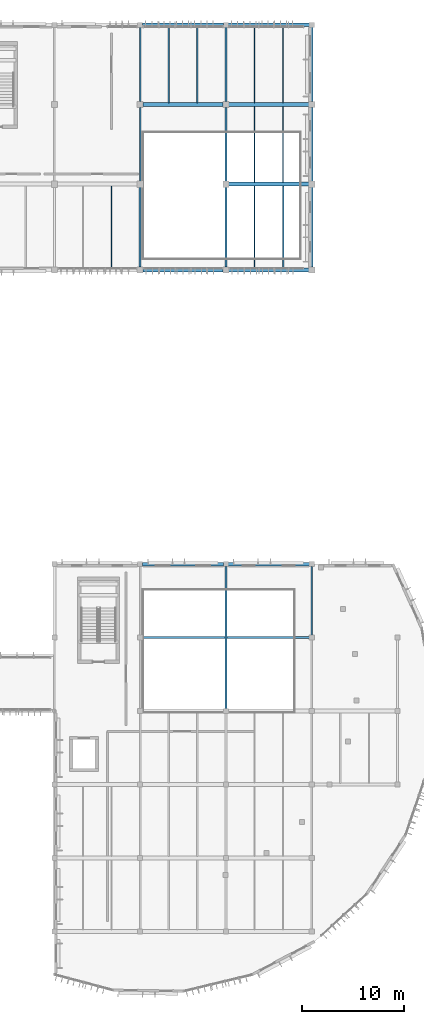
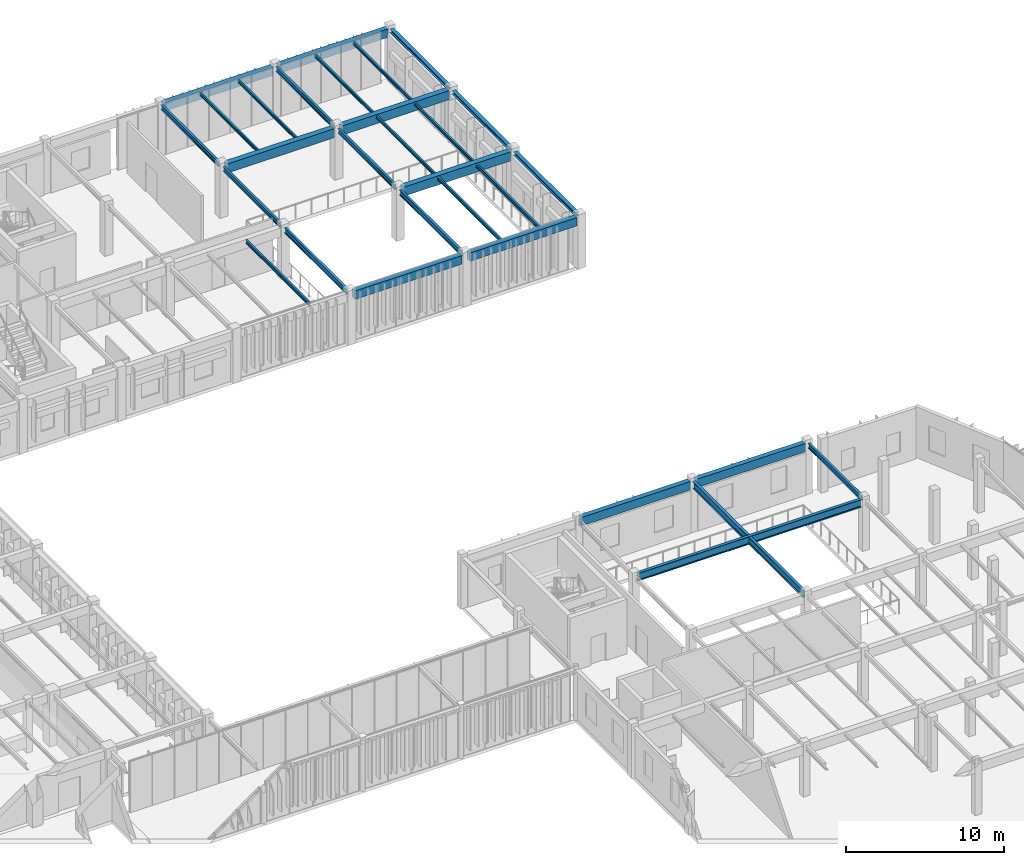
# One storey, part 16 of 122: 30 beams.
"""IFC4 building model written with IfcOpenShell, lengths in metres."""

from ifc_helpers import new_model, si_unit, direction, frame, origin, origin_2d, place, context, subcontext, project, spatial, rectangle, i_section, extrude, material, material_profile, profile_set, type_object, element, save


model = new_model("IFC4")

# Units and contexts
model_context = context("Model", 3, precision=1e-05, world=origin(), true_north=direction((0.0, 1.0)))
body_context = subcontext(model_context, "Body", "Model", "MODEL_VIEW")
ifc_project = project(units=[si_unit("LENGTHUNIT", "METRE"), si_unit("AREAUNIT", "SQUARE_METRE"), si_unit("VOLUMEUNIT", "CUBIC_METRE"), si_unit("PLANEANGLEUNIT", "RADIAN"), si_unit("MASSUNIT", "GRAM", prefix="KILO")], contexts=[model_context])

# Site, building, storey
site_placement = place(None, origin())
site = spatial("IfcSite", under=ifc_project, at=site_placement, CompositionType="ELEMENT")
building_placement = place(site_placement, origin())
building = spatial("IfcBuilding", under=site, at=building_placement, Name="Tazoul Stagehouse", CompositionType="ELEMENT")
storey_placement = place(building_placement, frame((0.0, 0.0, 4.800048828125)))
storey = spatial("IfcBuildingStorey", under=building, at=storey_placement, Name="L01", CompositionType="ELEMENT", Elevation=4.800048828125)

# Beams
ifc_material_1 = material(Name="Concrete C40/50", Category="concrete")
ifc_material_profile_1 = material_profile(ifc_material_1, rectangle(XDim=0.35009765625, YDim=0.64990234375, at=origin_2d()), Name="RC 350x650")
ifc_profile_set_1 = profile_set([ifc_material_profile_1], Name="Concrete C40/50")
beam_type_1 = type_object("IfcBeamType", Name="RC Perimeter Spandrel 350x650 (Exterior)", PredefinedType="SPANDREL", material=ifc_profile_set_1)
beam_1_placement = place(storey_placement, frame((134.02490234375, 59.0, 3.613037109375), z_axis=(1.0, 0.0, 0.0), x_axis=(0.0, 1.0, 0.0)))
element("IfcBeam", 1, at=beam_1_placement, inside=storey, type_object=beam_type_1, Name="L01 Beam SP-01E J/20-21", PredefinedType="SPANDREL", context=body_context, shape_type="SweptSolid", body=[
    extrude(rectangle(XDim=0.35009765625, YDim=0.64990234375, at=origin_2d()), origin(), (0.0, 0.0, 1.0), 7.9501953125),
])
beam_2_placement = place(storey_placement, frame((142.425048828125, 59.0, 3.613037109375), z_axis=(1.0, 0.0, 0.0), x_axis=(0.0, 1.0, 0.0)))
element("IfcBeam", 2, at=beam_2_placement, inside=storey, type_object=beam_type_1, Name="L01 Beam SP-01E J/21-22", PredefinedType="SPANDREL", context=body_context, shape_type="SweptSolid", body=[
    extrude(rectangle(XDim=0.35009765625, YDim=0.64990234375, at=origin_2d()), origin(), (0.0, 0.0, 1.0), 7.949951171875),
])
beam_3_placement = place(storey_placement, frame((134.074951171875, 87.800048828125, 3.613037109375), z_axis=(1.0, 0.0, 0.0), x_axis=(0.0, 1.0, 0.0)))
element("IfcBeam", 3, at=beam_3_placement, inside=storey, type_object=beam_type_1, Name="L01 Beam SP-01E N/20-21", PredefinedType="SPANDREL", context=body_context, shape_type="SweptSolid", body=[
    extrude(rectangle(XDim=0.35009765625, YDim=0.64990234375, at=origin_2d()), origin(), (0.0, 0.0, 1.0), 7.85009765625),
])
beam_4_placement = place(storey_placement, frame((142.47509765625, 87.800048828125, 3.613037109375), z_axis=(1.0, 0.0, 0.0), x_axis=(0.0, 1.0, 0.0)))
element("IfcBeam", 4, at=beam_4_placement, inside=storey, type_object=beam_type_1, Name="L01 Beam SP-01E N/21-22", PredefinedType="SPANDREL", context=body_context, shape_type="SweptSolid", body=[
    extrude(rectangle(XDim=0.35009765625, YDim=0.64990234375, at=origin_2d()), origin(), (0.0, 0.0, 1.0), 7.849853515625),
])
beam_5_placement = place(storey_placement, frame((134.02490234375, 111.800048828125, 3.613037109375), z_axis=(1.0, 0.0, 0.0), x_axis=(0.0, 1.0, 0.0)))
element("IfcBeam", 5, at=beam_5_placement, inside=storey, type_object=beam_type_1, Name="L01 Beam SP-01E R/20-21", PredefinedType="SPANDREL", context=body_context, shape_type="SweptSolid", body=[
    extrude(rectangle(XDim=0.35009765625, YDim=0.64990234375, at=origin_2d()), origin(), (0.0, 0.0, 1.0), 7.9501953125),
])
beam_6_placement = place(storey_placement, frame((142.425048828125, 111.800048828125, 3.613037109375), z_axis=(1.0, 0.0, 0.0), x_axis=(0.0, 1.0, 0.0)))
element("IfcBeam", 6, at=beam_6_placement, inside=storey, type_object=beam_type_1, Name="L01 Beam SP-01E R/21-22", PredefinedType="SPANDREL", context=body_context, shape_type="SweptSolid", body=[
    extrude(rectangle(XDim=0.35009765625, YDim=0.64990234375, at=origin_2d()), origin(), (0.0, 0.0, 1.0), 7.949951171875),
])
ifc_material_profile_2 = material_profile(ifc_material_1, rectangle(XDim=0.39990234375, YDim=0.699951171875, at=origin_2d()), Name="RC 400x700")
ifc_profile_set_2 = profile_set([ifc_material_profile_2], Name="Concrete C40/50")
beam_type_2 = type_object("IfcBeamType", Name="RC Primary Girder 400x700", PredefinedType="BEAM", material=ifc_profile_set_2)
beam_7_placement = place(storey_placement, frame((142.47509765625, 96.199951171875, 3.587890625), z_axis=(1.0, 0.0, 0.0), x_axis=(0.0, 1.0, 0.0)))
element("IfcBeam", 7, at=beam_7_placement, inside=storey, type_object=beam_type_2, Name="L01 Beam BM-02 P/21-22", PredefinedType="BEAM", context=body_context, shape_type="SweptSolid", body=[
    extrude(rectangle(XDim=0.39990234375, YDim=0.699951171875, at=origin_2d()), origin(), (0.0, 0.0, 1.0), 7.849853515625),
])
beam_8_placement = place(storey_placement, frame((134.074951171875, 104.0, 3.587890625), z_axis=(1.0, 0.0, 0.0), x_axis=(0.0, 1.0, 0.0)))
element("IfcBeam", 8, at=beam_8_placement, inside=storey, type_object=beam_type_2, Name="L01 Beam BM-02 Q/20-21", PredefinedType="BEAM", context=body_context, shape_type="SweptSolid", body=[
    extrude(rectangle(XDim=0.39990234375, YDim=0.699951171875, at=origin_2d()), origin(), (0.0, 0.0, 1.0), 7.85009765625),
])
beam_9_placement = place(storey_placement, frame((142.47509765625, 104.0, 3.587890625), z_axis=(1.0, 0.0, 0.0), x_axis=(0.0, 1.0, 0.0)))
element("IfcBeam", 9, at=beam_9_placement, inside=storey, type_object=beam_type_2, Name="L01 Beam BM-02 Q/21-22", PredefinedType="BEAM", context=body_context, shape_type="SweptSolid", body=[
    extrude(rectangle(XDim=0.39990234375, YDim=0.699951171875, at=origin_2d()), origin(), (0.0, 0.0, 1.0), 7.849853515625),
])
ifc_material_2 = material(Name="Steel S355", Category="steel")
ifc_material_profile_3 = material_profile(ifc_material_2, i_section(OverallWidth=0.280029296875, OverallDepth=0.27001953125, WebThickness=0.008056640625, FlangeThickness=0.012939453125, FilletRadius=0.02392578125, at=origin_2d()), Name="HEA 280")
ifc_profile_set_3 = profile_set([ifc_material_profile_3], Name="Steel S355")
beam_type_3 = type_object("IfcBeamType", Name="Steel Facade Spandrel HEA 280 (Exterior)", PredefinedType="SPANDREL", material=ifc_profile_set_3)
beam_10_placement = place(storey_placement, frame((150.60009765625, 88.074951171875, 3.802978515625), z_axis=(0.0, 1.0, 0.0), x_axis=(-1.0, 0.0, 0.0)))
element("IfcBeam", 10, at=beam_10_placement, inside=storey, type_object=beam_type_3, Name="L01 Beam SP-02E 22/N-P", PredefinedType="SPANDREL", context=body_context, shape_type="SweptSolid", body=[
    extrude(i_section(OverallWidth=0.280029296875, OverallDepth=0.27001953125, WebThickness=0.008056640625, FlangeThickness=0.012939453125, FilletRadius=0.02392578125, at=origin_2d()), origin(), (0.0, 0.0, 1.0), 7.85009765625),
])
beam_11_placement = place(storey_placement, frame((150.60009765625, 96.47509765625, 3.802978515625), z_axis=(0.0, 1.0, 0.0), x_axis=(-1.0, 0.0, 0.0)))
element("IfcBeam", 11, at=beam_11_placement, inside=storey, type_object=beam_type_3, Name="L01 Beam SP-02E 22/P-Q", PredefinedType="SPANDREL", context=body_context, shape_type="SweptSolid", body=[
    extrude(i_section(OverallWidth=0.280029296875, OverallDepth=0.27001953125, WebThickness=0.008056640625, FlangeThickness=0.012939453125, FilletRadius=0.02392578125, at=origin_2d()), origin(), (0.0, 0.0, 1.0), 7.25),
])
beam_12_placement = place(storey_placement, frame((150.60009765625, 104.27490234375, 3.802978515625), z_axis=(0.0, 1.0, 0.0), x_axis=(-1.0, 0.0, 0.0)))
element("IfcBeam", 12, at=beam_12_placement, inside=storey, type_object=beam_type_3, Name="L01 Beam SP-02E 22/Q-R", PredefinedType="SPANDREL", context=body_context, shape_type="SweptSolid", body=[
    extrude(i_section(OverallWidth=0.280029296875, OverallDepth=0.27001953125, WebThickness=0.008056640625, FlangeThickness=0.012939453125, FilletRadius=0.02392578125, at=origin_2d()), origin(), (0.0, 0.0, 1.0), 7.300048828125),
])
ifc_material_profile_4 = material_profile(ifc_material_2, i_section(OverallWidth=0.1201171875, OverallDepth=0.239990234375, WebThickness=0.006103515625, FlangeThickness=0.009765625, FilletRadius=0.014892578125, at=origin_2d()), Name="IPE 240")
ifc_profile_set_4 = profile_set([ifc_material_profile_4], Name="Steel S355")
beam_type_4 = type_object("IfcBeamType", Name="Steel Floor Joist IPE 240", PredefinedType="JOIST", material=ifc_profile_set_4)
for number, where, z_axis, x_axis, name in (
    (13, (145.0, 96.375, 3.81787109375), (0.0, 1.0, 0.0), (-1.0, 0.0, 0.0), "L01 Joist JS-01 21/P-1"),
    (14, (147.800048828125, 96.375, 3.81787109375), (0.0, 1.0, 0.0), (-1.0, 0.0, 0.0), "L01 Joist JS-01 21/P-2"),
):
    element("IfcBeam", number, at=place(storey_placement, frame(where, z_axis=z_axis, x_axis=x_axis)), inside=storey, type_object=beam_type_4, Name=name, PredefinedType="JOIST", context=body_context, shape_type="SweptSolid", body=[
        extrude(i_section(OverallWidth=0.1201171875, OverallDepth=0.239990234375, WebThickness=0.006103515625, FlangeThickness=0.009765625, FilletRadius=0.014892578125, at=origin_2d()), origin(), (0.0, 0.0, 1.0), 7.449951171875),
    ])
for number, where, z_axis, x_axis, name in (
    (15, (136.60009765625, 104.175048828125, 3.81787109375), (0.0, 1.0, 0.0), (-1.0, 0.0, 0.0), "L01 Joist JS-01 20/Q-1"),
    (16, (139.39990234375, 104.175048828125, 3.81787109375), (0.0, 1.0, 0.0), (-1.0, 0.0, 0.0), "L01 Joist JS-01 20/Q-2"),
    (17, (145.0, 104.175048828125, 3.81787109375), (0.0, 1.0, 0.0), (-1.0, 0.0, 0.0), "L01 Joist JS-01 21/Q-1"),
    (18, (147.800048828125, 104.175048828125, 3.81787109375), (0.0, 1.0, 0.0), (-1.0, 0.0, 0.0), "L01 Joist JS-01 21/Q-2"),
):
    element("IfcBeam", number, at=place(storey_placement, frame(where, z_axis=z_axis, x_axis=x_axis)), inside=storey, type_object=beam_type_4, Name=name, PredefinedType="JOIST", context=body_context, shape_type="SweptSolid", body=[
        extrude(i_section(OverallWidth=0.1201171875, OverallDepth=0.239990234375, WebThickness=0.006103515625, FlangeThickness=0.009765625, FilletRadius=0.014892578125, at=origin_2d()), origin(), (0.0, 0.0, 1.0), 7.474853515625),
    ])
ifc_material_profile_5 = material_profile(ifc_material_2, i_section(OverallWidth=0.135009765625, OverallDepth=0.27001953125, WebThickness=0.006591796875, FlangeThickness=0.01025390625, FilletRadius=0.014892578125, at=origin_2d()), Name="IPE 270")
ifc_profile_set_5 = profile_set([ifc_material_profile_5], Name="Steel S355")
beam_type_5 = type_object("IfcBeamType", Name="Steel Floor Joist IPE 270", PredefinedType="JOIST", material=ifc_profile_set_5)
for number, where, z_axis, x_axis, name in (
    (19, (131.0, 87.949951171875, 3.802978515625), (0.0, 1.0, 0.0), (-1.0, 0.0, 0.0), "L01 Joist JS-02 19/N-2"),
    (20, (145.0, 87.949951171875, 3.802978515625), (0.0, 1.0, 0.0), (-1.0, 0.0, 0.0), "L01 Joist JS-02 21/N-1"),
    (21, (147.800048828125, 87.949951171875, 3.802978515625), (0.0, 1.0, 0.0), (-1.0, 0.0, 0.0), "L01 Joist JS-02 21/N-2"),
):
    element("IfcBeam", number, at=place(storey_placement, frame(where, z_axis=z_axis, x_axis=x_axis)), inside=storey, type_object=beam_type_5, Name=name, PredefinedType="JOIST", context=body_context, shape_type="SweptSolid", body=[
        extrude(i_section(OverallWidth=0.135009765625, OverallDepth=0.27001953125, WebThickness=0.006591796875, FlangeThickness=0.01025390625, FilletRadius=0.014892578125, at=origin_2d()), origin(), (0.0, 0.0, 1.0), 8.074951171875),
    ])
ifc_material_profile_6 = material_profile(ifc_material_2, i_section(OverallWidth=0.2099609375, OverallDepth=0.550048828125, WebThickness=0.010986328125, FlangeThickness=0.01708984375, FilletRadius=0.02392578125, at=origin_2d()), Name="IPE 550")
ifc_profile_set_6 = profile_set([ifc_material_profile_6], Name="Steel S355")
beam_type_6 = type_object("IfcBeamType", Name="Steel Hall Girder IPE 550", PredefinedType="BEAM", material=ifc_profile_set_6)
beam_13_placement = place(storey_placement, frame((142.199951171875, 44.824951171875, 3.662841796875), z_axis=(0.0, 1.0, 0.0), x_axis=(-1.0, 0.0, 0.0)))
element("IfcBeam", 22, at=beam_13_placement, inside=storey, type_object=beam_type_6, Name="L01 Beam SB-05 21/G-J", PredefinedType="BEAM", context=body_context, shape_type="SweptSolid", body=[
    extrude(i_section(OverallWidth=0.2099609375, OverallDepth=0.550048828125, WebThickness=0.010986328125, FlangeThickness=0.01708984375, FilletRadius=0.02392578125, at=origin_2d()), origin(), (0.0, 0.0, 1.0), 13.949951171875),
])
ifc_material_profile_7 = material_profile(ifc_material_2, i_section(OverallWidth=0.169921875, OverallDepth=0.360107421875, WebThickness=0.008056640625, FlangeThickness=0.0126953125, FilletRadius=0.01806640625, at=origin_2d()), Name="IPE 360")
ifc_profile_set_7 = profile_set([ifc_material_profile_7], Name="Steel S355")
beam_type_7 = type_object("IfcBeamType", Name="Steel Primary Girder IPE 360", PredefinedType="BEAM", material=ifc_profile_set_7)
beam_14_placement = place(storey_placement, frame((133.800048828125, 96.47509765625, 3.758056640625), z_axis=(0.0, 1.0, 0.0), x_axis=(-1.0, 0.0, 0.0)))
element("IfcBeam", 23, at=beam_14_placement, inside=storey, type_object=beam_type_7, Name="L01 Beam SB-01 20/P-Q", PredefinedType="BEAM", context=body_context, shape_type="SweptSolid", body=[
    extrude(i_section(OverallWidth=0.169921875, OverallDepth=0.360107421875, WebThickness=0.008056640625, FlangeThickness=0.0126953125, FilletRadius=0.01806640625, at=origin_2d()), origin(), (0.0, 0.0, 1.0), 7.25),
])
beam_15_placement = place(storey_placement, frame((133.800048828125, 104.27490234375, 3.758056640625), z_axis=(0.0, 1.0, 0.0), x_axis=(-1.0, 0.0, 0.0)))
element("IfcBeam", 24, at=beam_15_placement, inside=storey, type_object=beam_type_7, Name="L01 Beam SB-01 20/Q-R", PredefinedType="BEAM", context=body_context, shape_type="SweptSolid", body=[
    extrude(i_section(OverallWidth=0.169921875, OverallDepth=0.360107421875, WebThickness=0.008056640625, FlangeThickness=0.0126953125, FilletRadius=0.01806640625, at=origin_2d()), origin(), (0.0, 0.0, 1.0), 7.300048828125),
])
beam_16_placement = place(storey_placement, frame((142.199951171875, 96.47509765625, 3.758056640625), z_axis=(0.0, 1.0, 0.0), x_axis=(-1.0, 0.0, 0.0)))
element("IfcBeam", 25, at=beam_16_placement, inside=storey, type_object=beam_type_7, Name="L01 Beam SB-01 21/P-Q", PredefinedType="BEAM", context=body_context, shape_type="SweptSolid", body=[
    extrude(i_section(OverallWidth=0.169921875, OverallDepth=0.360107421875, WebThickness=0.008056640625, FlangeThickness=0.0126953125, FilletRadius=0.01806640625, at=origin_2d()), origin(), (0.0, 0.0, 1.0), 7.25),
])
beam_17_placement = place(storey_placement, frame((142.199951171875, 104.27490234375, 3.758056640625), z_axis=(0.0, 1.0, 0.0), x_axis=(-1.0, 0.0, 0.0)))
element("IfcBeam", 26, at=beam_17_placement, inside=storey, type_object=beam_type_7, Name="L01 Beam SB-01 21/Q-R", PredefinedType="BEAM", context=body_context, shape_type="SweptSolid", body=[
    extrude(i_section(OverallWidth=0.169921875, OverallDepth=0.360107421875, WebThickness=0.008056640625, FlangeThickness=0.0126953125, FilletRadius=0.01806640625, at=origin_2d()), origin(), (0.0, 0.0, 1.0), 7.300048828125),
])
beam_18_placement = place(storey_placement, frame((150.60009765625, 52.02490234375, 3.758056640625), z_axis=(0.0, 1.0, 0.0), x_axis=(-1.0, 0.0, 0.0)))
element("IfcBeam", 27, at=beam_18_placement, inside=storey, type_object=beam_type_7, Name="L01 Beam SB-01 22/H-J", PredefinedType="BEAM", context=body_context, shape_type="SweptSolid", body=[
    extrude(i_section(OverallWidth=0.169921875, OverallDepth=0.360107421875, WebThickness=0.008056640625, FlangeThickness=0.0126953125, FilletRadius=0.01806640625, at=origin_2d()), origin(), (0.0, 0.0, 1.0), 6.75),
])
ifc_material_profile_8 = material_profile(ifc_material_2, i_section(OverallWidth=0.179931640625, OverallDepth=0.39990234375, WebThickness=0.008544921875, FlangeThickness=0.013427734375, FilletRadius=0.02099609375, at=origin_2d()), Name="IPE 400")
ifc_profile_set_8 = profile_set([ifc_material_profile_8], Name="Steel S355")
beam_type_8 = type_object("IfcBeamType", Name="Steel Primary Girder IPE 400", PredefinedType="BEAM", material=ifc_profile_set_8)
for number, where, z_axis, x_axis, name in (
    (28, (133.800048828125, 88.074951171875, 3.738037109375), (0.0, 1.0, 0.0), (-1.0, 0.0, 0.0), "L01 Beam SB-02 20/N-P"),
    (29, (142.199951171875, 88.074951171875, 3.738037109375), (0.0, 1.0, 0.0), (-1.0, 0.0, 0.0), "L01 Beam SB-02 21/N-P"),
):
    element("IfcBeam", number, at=place(storey_placement, frame(where, z_axis=z_axis, x_axis=x_axis)), inside=storey, type_object=beam_type_8, Name=name, PredefinedType="BEAM", context=body_context, shape_type="SweptSolid", body=[
        extrude(i_section(OverallWidth=0.179931640625, OverallDepth=0.39990234375, WebThickness=0.008544921875, FlangeThickness=0.013427734375, FilletRadius=0.02099609375, at=origin_2d()), origin(), (0.0, 0.0, 1.0), 7.85009765625),
    ])
ifc_material_profile_9 = material_profile(ifc_material_2, i_section(OverallWidth=0.219970703125, OverallDepth=0.60009765625, WebThickness=0.011962890625, FlangeThickness=0.01904296875, FilletRadius=0.02392578125, at=origin_2d()), Name="IPE 600")
ifc_profile_set_9 = profile_set([ifc_material_profile_9], Name="Steel S355")
beam_type_9 = type_object("IfcBeamType", Name="Steel Workshop Girder IPE 600", PredefinedType="BEAM", material=ifc_profile_set_9)
beam_19_placement = place(storey_placement, frame((134.02490234375, 51.800048828125, 3.637939453125), z_axis=(1.0, 0.0, 0.0), x_axis=(0.0, 1.0, 0.0)))
element("IfcBeam", 30, at=beam_19_placement, inside=storey, type_object=beam_type_9, Name="L01 Beam SB-06 H/20-22", PredefinedType="BEAM", context=body_context, shape_type="SweptSolid", body=[
    extrude(i_section(OverallWidth=0.219970703125, OverallDepth=0.60009765625, WebThickness=0.011962890625, FlangeThickness=0.01904296875, FilletRadius=0.02392578125, at=origin_2d()), origin(), (0.0, 0.0, 1.0), 16.35009765625),
])

save(model, "model.ifc")
